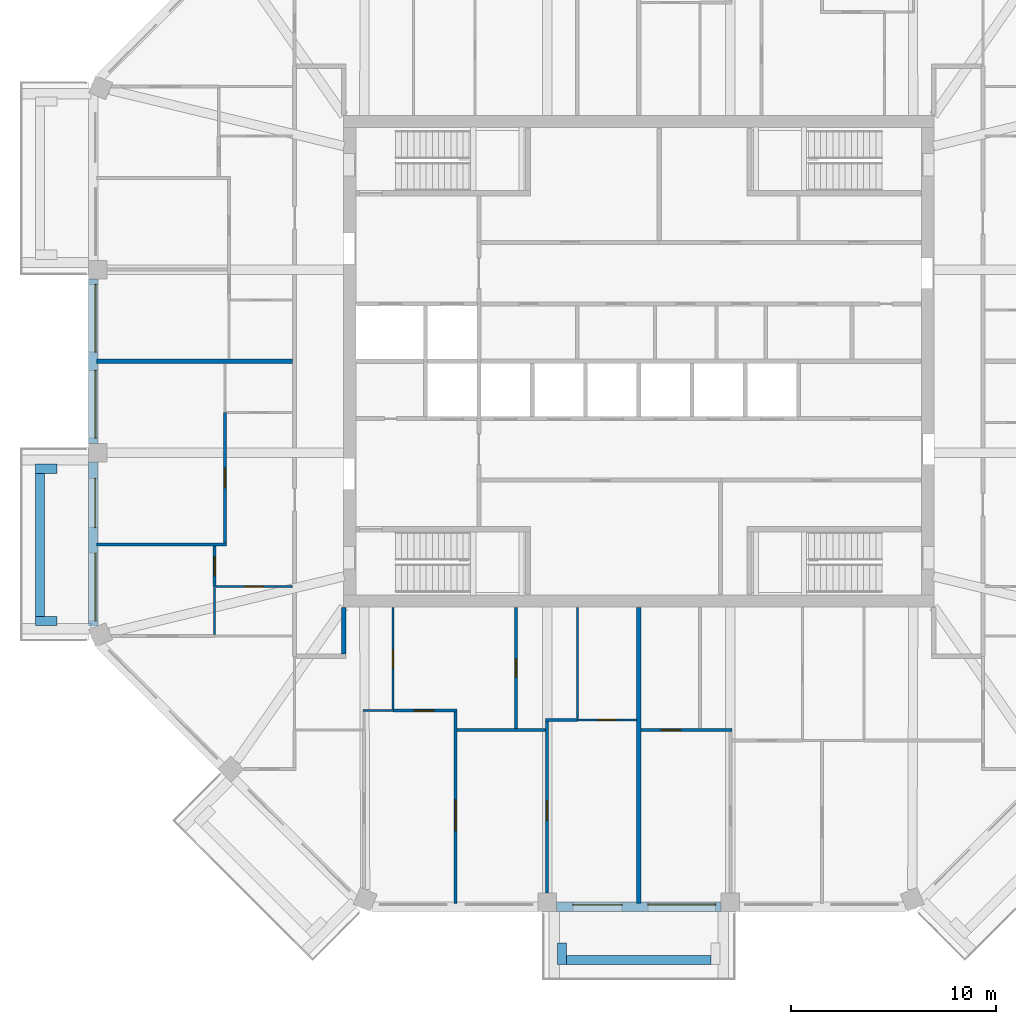
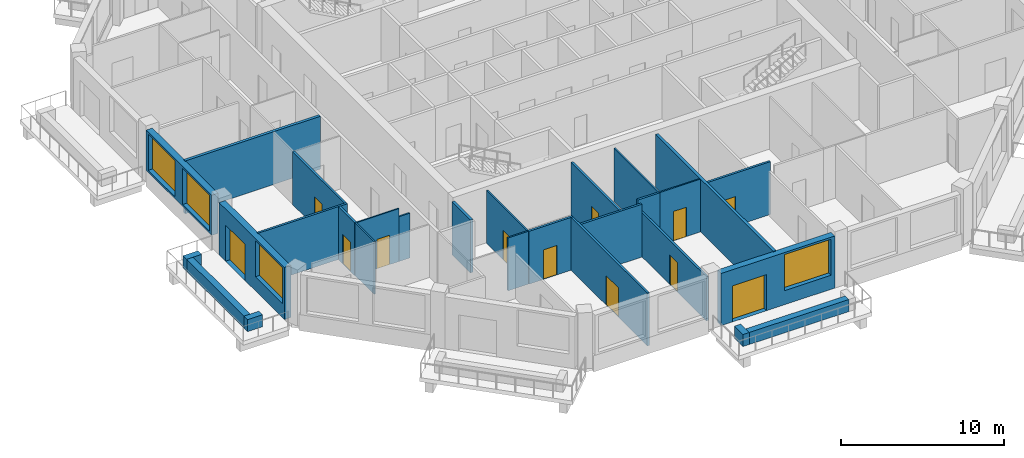
# One storey, part 3 of 12: 28 walls, 12 doors, 4 windows, 16 openings.
"""IFC4 building model written with IfcOpenShell, lengths in metres."""

from ifc_helpers import new_model, si_unit, direction, frame, frame_2d, origin, place, context, subcontext, project, spatial, rectangle, extrude, material, layer, layer_set, type_object, element, fill, save


model = new_model("IFC4")

# Units and contexts
model_context = context("Model", 3, precision=1e-05, world=origin(), true_north=direction((0.0, 1.0)))
body_context = subcontext(model_context, "Body", "Model", "MODEL_VIEW")
ifc_project = project(units=[si_unit("LENGTHUNIT", "METRE"), si_unit("AREAUNIT", "SQUARE_METRE"), si_unit("VOLUMEUNIT", "CUBIC_METRE"), si_unit("PLANEANGLEUNIT", "RADIAN"), si_unit("MASSUNIT", "GRAM", prefix="KILO")], contexts=[model_context])

# Site, building, storey
site_placement = place(None, origin())
site = spatial("IfcSite", under=ifc_project, at=site_placement, CompositionType="ELEMENT")
building_placement = place(site_placement, origin())
building = spatial("IfcBuilding", under=site, at=building_placement, Name="Msitu Wima Residences", CompositionType="ELEMENT")
storey_placement = place(building_placement, frame((0.0, 0.0, 272.699951171875)))
storey = spatial("IfcBuildingStorey", under=building, at=storey_placement, Name="L63", CompositionType="ELEMENT", Elevation=272.699951171875)

# Walls
ifc_material_1 = material(Name="Facing brick")
ifc_layer_1 = layer(ifc_material_1, 0.06494140625, Name="Facing brick")
ifc_material_2 = material(Name="Concrete C40/50", Category="concrete")
ifc_layer_2 = layer(ifc_material_2, 0.156005859375, Name="Concrete C40/50")
ifc_material_3 = material(Name="Waterproofing membrane")
ifc_layer_3 = layer(ifc_material_3, 0.00390625, Name="Waterproofing membrane")
ifc_material_4 = material(Name="Planting soil and planting")
ifc_layer_4 = layer(ifc_material_4, 0.22509765625, Name="Planting soil and planting")
ifc_layer_set_1 = layer_set([ifc_layer_1, ifc_layer_2, ifc_layer_3, ifc_layer_4], Name="Concrete C40/50")
wall_type_1 = type_object("IfcWallType", Name="Balcony planter PLANTER PL450", PredefinedType="USERDEFINED", material=ifc_layer_set_1)
wall_1_placement = place(storey_placement, frame((-29.22509765625, -5.468505859375, 0.0), z_axis=(0.0, 0.0, 1.0), x_axis=(0.0, -1.0, 0.0)))
element("IfcWall", 1, at=wall_1_placement, inside=storey, type_object=wall_type_1, Name="Balcony planter W2 L63", ObjectType="PLANTER", PredefinedType="USERDEFINED", context=body_context, shape_type="SweptSolid", body=[
    extrude(rectangle(XDim=6.9873046875, YDim=0.449951171875, at=frame_2d((3.49365234375, 0.0))), origin(), (0.0, 0.0, 1.0), 0.900146484375),
])
for number, where, z_axis, x_axis, name in (
    (2, (-28.39990234375, -5.24365234375, 0.0), (0.0, 0.0, 1.0), (-1.0, 0.0, 0.0), "Balcony planter W2 L63"),
    (3, (-28.39990234375, -12.680908203125, 0.0), (0.0, 0.0, 1.0), (-1.0, 0.0, 0.0), "Balcony planter W2 L63"),
):
    element("IfcWall", number, at=place(storey_placement, frame(where, z_axis=z_axis, x_axis=x_axis)), inside=storey, type_object=wall_type_1, Name=name, ObjectType="PLANTER", PredefinedType="USERDEFINED", context=body_context, shape_type="SweptSolid", body=[
        extrude(rectangle(XDim=1.050048828125, YDim=0.449951171875, at=frame_2d((0.52490234375, 0.0))), origin(), (0.0, 0.0, 1.0), 0.900146484375),
    ])
wall_2_placement = place(storey_placement, frame((-3.5185546875, -29.22509765625, 0.0), z_axis=(0.0, 0.0, 1.0), x_axis=(1.0, 0.0, 0.0)))
element("IfcWall", 4, at=wall_2_placement, inside=storey, type_object=wall_type_1, Name="Balcony planter S1 L63", ObjectType="PLANTER", PredefinedType="USERDEFINED", context=body_context, shape_type="SweptSolid", body=[
    extrude(rectangle(XDim=7.037109375, YDim=0.449951171875, at=frame_2d((3.5185546875, 0.0))), origin(), (0.0, 0.0, 1.0), 0.900146484375),
])
wall_3_placement = place(storey_placement, frame((-3.74365234375, -28.39990234375, 0.0), z_axis=(0.0, 0.0, 1.0), x_axis=(0.0, -1.0, 0.0)))
element("IfcWall", 5, at=wall_3_placement, inside=storey, type_object=wall_type_1, Name="Balcony planter S1 L63", ObjectType="PLANTER", PredefinedType="USERDEFINED", context=body_context, shape_type="SweptSolid", body=[
    extrude(rectangle(XDim=1.050048828125, YDim=0.449951171875, at=frame_2d((0.52490234375, 0.0))), origin(), (0.0, 0.0, 1.0), 0.900146484375),
])

# Wall, openings, windows
ifc_material_5 = material(Name="Brick (red buff mix)", Category="masonry")
ifc_layer_5 = layer(ifc_material_5, 0.449951171875)
ifc_layer_set_2 = layer_set([ifc_layer_5], Name="Brick (red buff mix)")
wall_type_2 = type_object("IfcWallType", Name="Brick infill wall BW450", PredefinedType="SOLIDWALL", material=ifc_layer_set_2)
wall_4_placement = place(storey_placement, frame((-26.625, 4.0185546875, 0.900146484375), z_axis=(0.0, 0.0, 1.0), x_axis=(0.0, -1.0, 0.0)))
wall_4 = element("IfcWall", 6, at=wall_4_placement, inside=storey, type_object=wall_type_2, Name="Brick infill wall L63 W1", PredefinedType="SOLIDWALL", context=body_context, shape_type="SweptSolid", body=[
    extrude(rectangle(XDim=8.037109375, YDim=0.449951171875, at=frame_2d((4.0185546875, 0.0))), origin(), (0.0, 0.0, 1.0), 3.0),
])
opening_1_placement = place(wall_4_placement, frame((0.2685546875, 0.0, 0.14990234375)))
opening_1 = element("IfcOpeningElement", 7, at=opening_1_placement, cuts=wall_4, Name="Opening W63-64.028", PredefinedType="OPENING", context=body_context, shape_type="SweptSolid", body=[
    extrude(rectangle(XDim=3.300048828125, YDim=2.699951171875, at=frame_2d((1.64990234375, 1.35009765625))), frame((0.0, 0.23486328125, 0.0), z_axis=(0.0, -1.0, 0.0), x_axis=(1.0, 0.0, 0.0)), (0.0, 0.0, 1.0), 0.469970703125),
])
opening_2_placement = place(wall_4_placement, frame((4.46875, 0.0, 0.14990234375)))
opening_2 = element("IfcOpeningElement", 8, at=opening_2_placement, cuts=wall_4, Name="Opening W63-64.029", PredefinedType="OPENING", context=body_context, shape_type="SweptSolid", body=[
    extrude(rectangle(XDim=3.300048828125, YDim=2.699951171875, at=frame_2d((1.64990234375, 1.35009765625))), frame((0.0, 0.23486328125, 0.0), z_axis=(0.0, -1.0, 0.0), x_axis=(1.0, 0.0, 0.0)), (0.0, 0.0, 1.0), 0.469970703125),
])
ifc_material_6 = material(Name="Anodised aluminium, bronze finish, clear low-emissivity double glazing", Category="aluminium")
window_type = type_object("IfcWindowType", Name="Window W3300x2700", PartitioningType="DOUBLE_PANEL_VERTICAL", PredefinedType="WINDOW", material=ifc_material_6)
window_1_placement = place(opening_1_placement, origin())
window_1 = element("IfcWindow", 9, at=window_1_placement, inside=storey, type_object=window_type, Name="Window L63 W1.1", OverallHeight=2.699951171875, OverallWidth=3.300048828125, PartitioningType="SINGLE_PANEL", PredefinedType="WINDOW", context=body_context, shape_type="SweptSolid", body=[
    extrude(rectangle(XDim=3.300048828125, YDim=2.699951171875, at=frame_2d((1.64990234375, 1.35009765625))), frame((0.0, 0.135009765625, 0.0), z_axis=(0.0, -1.0, 0.0), x_axis=(1.0, 0.0, 0.0)), (0.0, 0.0, 1.0), 0.06005859375),
])
fill(opening_1, window_1)
window_2_placement = place(opening_2_placement, origin())
window_2 = element("IfcWindow", 10, at=window_2_placement, inside=storey, type_object=window_type, Name="Window L63 W1.2", OverallHeight=2.699951171875, OverallWidth=3.300048828125, PartitioningType="SINGLE_PANEL", PredefinedType="WINDOW", context=body_context, shape_type="SweptSolid", body=[
    extrude(rectangle(XDim=3.300048828125, YDim=2.699951171875, at=frame_2d((1.64990234375, 1.35009765625))), frame((0.0, 0.135009765625, 0.0), z_axis=(0.0, -1.0, 0.0), x_axis=(1.0, 0.0, 0.0)), (0.0, 0.0, 1.0), 0.06005859375),
])
fill(opening_2, window_2)

# Wall, openings, door, window
wall_5_placement = place(storey_placement, frame((-26.625, -4.918701171875, 0.0), z_axis=(0.0, 0.0, 1.0), x_axis=(0.0, -1.0, 0.0)))
wall_5 = element("IfcWall", 11, at=wall_5_placement, inside=storey, type_object=wall_type_2, Name="Brick infill wall L63 W2", PredefinedType="SOLIDWALL", context=body_context, shape_type="SweptSolid", body=[
    extrude(rectangle(XDim=8.0, YDim=0.449951171875, at=frame_2d((4.0, 0.0))), origin(), (0.0, 0.0, 1.0), 3.900146484375),
])
opening_3_placement = place(wall_5_placement, frame((0.800048828125, 0.0, 0.0)))
opening_3 = element("IfcOpeningElement", 12, at=opening_3_placement, cuts=wall_5, Name="Opening D63-64.010", PredefinedType="OPENING", context=body_context, shape_type="SweptSolid", body=[
    extrude(rectangle(XDim=2.39990234375, YDim=2.699951171875, at=frame_2d((1.199951171875, 1.35009765625))), frame((0.0, 0.23486328125, 0.0), z_axis=(0.0, -1.0, 0.0), x_axis=(1.0, 0.0, 0.0)), (0.0, 0.0, 1.0), 0.469970703125),
])
opening_4_placement = place(wall_5_placement, frame((4.4501953125, 0.0, 1.050048828125)))
opening_4 = element("IfcOpeningElement", 13, at=opening_4_placement, cuts=wall_5, Name="Opening W63-64.030", PredefinedType="OPENING", context=body_context, shape_type="SweptSolid", body=[
    extrude(rectangle(XDim=3.300048828125, YDim=2.699951171875, at=frame_2d((1.64990234375, 1.35009765625))), frame((0.0, 0.23486328125, 0.0), z_axis=(0.0, -1.0, 0.0), x_axis=(1.0, 0.0, 0.0)), (0.0, 0.0, 1.0), 0.469970703125),
])
door_type_1 = type_object("IfcDoorType", Name="Balcony door D2400x2700", OperationType="SLIDING_TO_LEFT", PredefinedType="DOOR", material=ifc_material_6)
door_1_placement = place(opening_3_placement, origin())
door_1 = element("IfcDoor", 14, at=door_1_placement, inside=storey, type_object=door_type_1, Name="Balcony door L63 W2", OperationType="SINGLE_SWING_LEFT", OverallHeight=2.699951171875, OverallWidth=2.39990234375, PredefinedType="DOOR", context=body_context, shape_type="SweptSolid", body=[
    extrude(rectangle(XDim=2.39990234375, YDim=2.699951171875, at=frame_2d((1.199951171875, 1.35009765625))), frame((0.0, 0.1298828125, 0.0), z_axis=(0.0, -1.0, 0.0), x_axis=(1.0, 0.0, 0.0)), (0.0, 0.0, 1.0), 0.050048828125),
])
fill(opening_3, door_1)
window_3_placement = place(opening_4_placement, origin())
window_3 = element("IfcWindow", 15, at=window_3_placement, inside=storey, type_object=window_type, Name="Window L63 W2.2", OverallHeight=2.699951171875, OverallWidth=3.300048828125, PartitioningType="SINGLE_PANEL", PredefinedType="WINDOW", context=body_context, shape_type="SweptSolid", body=[
    extrude(rectangle(XDim=3.300048828125, YDim=2.699951171875, at=frame_2d((1.64990234375, 1.35009765625))), frame((0.0, 0.135009765625, 0.0), z_axis=(0.0, -1.0, 0.0), x_axis=(1.0, 0.0, 0.0)), (0.0, 0.0, 1.0), 0.06005859375),
])
fill(opening_4, window_3)

wall_6_placement = place(storey_placement, frame((-4.0185546875, -26.625, 0.0), z_axis=(0.0, 0.0, 1.0), x_axis=(1.0, 0.0, 0.0)))
wall_6 = element("IfcWall", 16, at=wall_6_placement, inside=storey, type_object=wall_type_2, Name="Brick infill wall L63 S1", PredefinedType="SOLIDWALL", context=body_context, shape_type="SweptSolid", body=[
    extrude(rectangle(XDim=8.037109375, YDim=0.449951171875, at=frame_2d((4.0185546875, 0.0))), origin(), (0.0, 0.0, 1.0), 3.900146484375),
])
opening_5_placement = place(wall_6_placement, frame((0.809326171875, 0.0, 0.0)))
opening_5 = element("IfcOpeningElement", 17, at=opening_5_placement, cuts=wall_6, Name="Opening D63-64.006", PredefinedType="OPENING", context=body_context, shape_type="SweptSolid", body=[
    extrude(rectangle(XDim=2.39990234375, YDim=2.699951171875, at=frame_2d((1.199951171875, 1.35009765625))), frame((0.0, 0.23486328125, 0.0), z_axis=(0.0, -1.0, 0.0), x_axis=(1.0, 0.0, 0.0)), (0.0, 0.0, 1.0), 0.469970703125),
])
opening_6_placement = place(wall_6_placement, frame((4.46875, 0.0, 1.050048828125)))
opening_6 = element("IfcOpeningElement", 18, at=opening_6_placement, cuts=wall_6, Name="Opening W63-64.018", PredefinedType="OPENING", context=body_context, shape_type="SweptSolid", body=[
    extrude(rectangle(XDim=3.300048828125, YDim=2.699951171875, at=frame_2d((1.64990234375, 1.35009765625))), frame((0.0, 0.23486328125, 0.0), z_axis=(0.0, -1.0, 0.0), x_axis=(1.0, 0.0, 0.0)), (0.0, 0.0, 1.0), 0.469970703125),
])
door_2_placement = place(opening_5_placement, origin())
door_2 = element("IfcDoor", 19, at=door_2_placement, inside=storey, type_object=door_type_1, Name="Balcony door L63 S1", OperationType="SINGLE_SWING_LEFT", OverallHeight=2.699951171875, OverallWidth=2.39990234375, PredefinedType="DOOR", context=body_context, shape_type="SweptSolid", body=[
    extrude(rectangle(XDim=2.39990234375, YDim=2.699951171875, at=frame_2d((1.199951171875, 1.35009765625))), frame((0.0, 0.1298828125, 0.0), z_axis=(0.0, -1.0, 0.0), x_axis=(1.0, 0.0, 0.0)), (0.0, 0.0, 1.0), 0.050048828125),
])
fill(opening_5, door_2)
window_4_placement = place(opening_6_placement, origin())
window_4 = element("IfcWindow", 20, at=window_4_placement, inside=storey, type_object=window_type, Name="Window L63 S1.2", OverallHeight=2.699951171875, OverallWidth=3.300048828125, PartitioningType="SINGLE_PANEL", PredefinedType="WINDOW", context=body_context, shape_type="SweptSolid", body=[
    extrude(rectangle(XDim=3.300048828125, YDim=2.699951171875, at=frame_2d((1.64990234375, 1.35009765625))), frame((0.0, 0.135009765625, 0.0), z_axis=(0.0, -1.0, 0.0), x_axis=(1.0, 0.0, 0.0)), (0.0, 0.0, 1.0), 0.06005859375),
])
fill(opening_6, window_4)

# Walls
ifc_material_7 = material(Name="Plaster")
ifc_layer_6 = layer(ifc_material_7, 0.011962890625, Name="Plaster")
ifc_material_8 = material(Name="Concrete blockwork", Category="masonry")
ifc_layer_7 = layer(ifc_material_8, 0.176025390625, Name="Concrete blockwork")
ifc_layer_8 = layer(ifc_material_7, 0.011962890625, Name="Plaster")
ifc_layer_set_3 = layer_set([ifc_layer_6, ifc_layer_7, ifc_layer_8], Name="Concrete blockwork")
wall_type_3 = type_object("IfcWallType", Name="Corridor wall FW200", PredefinedType="PARTITIONING", material=ifc_layer_set_3)
wall_7_placement = place(storey_placement, frame((-14.39990234375, -14.300048828125, 0.0), z_axis=(0.0, 0.0, 1.0), x_axis=(0.0, 1.0, 0.0)))
element("IfcWall", 21, at=wall_7_placement, inside=storey, type_object=wall_type_3, Name="Corridor wall", PredefinedType="PARTITIONING", context=body_context, shape_type="SweptSolid", body=[
    extrude(rectangle(XDim=2.27001953125, YDim=0.199951171875, at=frame_2d((1.135009765625, 0.0))), origin(), (0.0, 0.0, 1.0), 3.949951171875),
])
ifc_layer_9 = layer(ifc_material_7, 0.011962890625, Name="Plaster")
ifc_layer_10 = layer(ifc_material_8, 0.1259765625, Name="Concrete blockwork")
ifc_layer_11 = layer(ifc_material_7, 0.011962890625, Name="Plaster")
ifc_layer_set_4 = layer_set([ifc_layer_9, ifc_layer_10, ifc_layer_11], Name="Concrete blockwork")
wall_type_4 = type_object("IfcWallType", Name="Partition PW150", PredefinedType="PARTITIONING", material=ifc_layer_set_4)
wall_8_placement = place(storey_placement, frame((-26.455078125, -8.937255859375, 0.0), z_axis=(0.0, 0.0, 1.0), x_axis=(1.0, 0.0, 0.0)))
element("IfcWall", 22, at=wall_8_placement, inside=storey, type_object=wall_type_4, Name="Partition", PredefinedType="PARTITIONING", context=body_context, shape_type="SweptSolid", body=[
    extrude(rectangle(XDim=6.330078125, YDim=0.14990234375, at=frame_2d((3.1650390625, 0.0))), origin(), (0.0, 0.0, 1.0), 3.949951171875),
])

# Wall, opening, door
wall_9_placement = place(storey_placement, frame((-20.699951171875, -10.97998046875, 0.0), z_axis=(0.0, 0.0, 1.0), x_axis=(0.0, 1.0, 0.0)))
wall_9 = element("IfcWall", 23, at=wall_9_placement, inside=storey, type_object=wall_type_4, Name="Partition", PredefinedType="PARTITIONING", context=body_context, shape_type="SweptSolid", body=[
    extrude(rectangle(XDim=1.9677734375, YDim=0.14990234375, at=frame_2d((0.98388671875, 0.0))), origin(), (0.0, 0.0, 1.0), 3.949951171875),
])
opening_7_placement = place(wall_9_placement, frame((0.5, 0.0, 0.0)))
opening_7 = element("IfcOpeningElement", 24, at=opening_7_placement, cuts=wall_9, Name="Opening D63-64.047", PredefinedType="OPENING", context=body_context, shape_type="SweptSolid", body=[
    extrude(rectangle(XDim=0.949951171875, YDim=2.199951171875, at=frame_2d((0.47509765625, 1.10009765625))), frame((0.0, 0.0849609375, 0.0), z_axis=(0.0, -1.0, 0.0), x_axis=(1.0, 0.0, 0.0)), (0.0, 0.0, 1.0), 0.169921875),
])
ifc_material_9 = material(Name="Timber flush door", Category="wood")
door_type_2 = type_object("IfcDoorType", Name="Room door D12 950x2200", OperationType="SINGLE_SWING_LEFT", PredefinedType="DOOR", material=ifc_material_9)
door_3_placement = place(opening_7_placement, origin())
door_3 = element("IfcDoor", 25, at=door_3_placement, inside=storey, type_object=door_type_2, Name="Room door", OperationType="SINGLE_SWING_RIGHT", OverallHeight=2.199951171875, OverallWidth=0.949951171875, PredefinedType="DOOR", context=body_context, shape_type="SweptSolid", body=[
    extrude(rectangle(XDim=0.949951171875, YDim=2.199951171875, at=frame_2d((0.47509765625, 1.10009765625))), frame((0.0, 0.02490234375, 0.0), z_axis=(0.0, -1.0, 0.0), x_axis=(1.0, 0.0, 0.0)), (0.0, 0.0, 1.0), 0.050048828125),
])
fill(opening_7, door_3)

wall_10_placement = place(storey_placement, frame((-20.199951171875, -8.8623046875, 0.0), z_axis=(0.0, 0.0, 1.0), x_axis=(0.0, 1.0, 0.0)))
wall_10 = element("IfcWall", 26, at=wall_10_placement, inside=storey, type_object=wall_type_4, Name="Partition", PredefinedType="PARTITIONING", context=body_context, shape_type="SweptSolid", body=[
    extrude(rectangle(XDim=6.3623046875, YDim=0.14990234375, at=frame_2d((3.18115234375, 0.0))), origin(), (0.0, 0.0, 1.0), 3.949951171875),
])
opening_8_placement = place(wall_10_placement, frame((2.699951171875, 0.0, 0.0)))
opening_8 = element("IfcOpeningElement", 27, at=opening_8_placement, cuts=wall_10, Name="Opening D63-64.046", PredefinedType="OPENING", context=body_context, shape_type="SweptSolid", body=[
    extrude(rectangle(XDim=0.949951171875, YDim=2.199951171875, at=frame_2d((0.47509765625, 1.10009765625))), frame((0.0, 0.0849609375, 0.0), z_axis=(0.0, -1.0, 0.0), x_axis=(1.0, 0.0, 0.0)), (0.0, 0.0, 1.0), 0.169921875),
])
door_4_placement = place(opening_8_placement, origin())
door_4 = element("IfcDoor", 28, at=door_4_placement, inside=storey, type_object=door_type_2, Name="Room door", OperationType="SINGLE_SWING_LEFT", OverallHeight=2.199951171875, OverallWidth=0.949951171875, PredefinedType="DOOR", context=body_context, shape_type="SweptSolid", body=[
    extrude(rectangle(XDim=0.949951171875, YDim=2.199951171875, at=frame_2d((0.47509765625, 1.10009765625))), frame((0.0, 0.02490234375, 0.0), z_axis=(0.0, -1.0, 0.0), x_axis=(1.0, 0.0, 0.0)), (0.0, 0.0, 1.0), 0.050048828125),
])
fill(opening_8, door_4)

wall_11_placement = place(storey_placement, frame((-12.0, -17.050048828125, 0.0), z_axis=(0.0, 0.0, 1.0), x_axis=(1.0, 0.0, 0.0)))
wall_11 = element("IfcWall", 29, at=wall_11_placement, inside=storey, type_object=wall_type_4, Name="Partition", PredefinedType="PARTITIONING", context=body_context, shape_type="SweptSolid", body=[
    extrude(rectangle(XDim=3.1376953125, YDim=0.14990234375, at=frame_2d((1.56884765625, 0.0))), origin(), (0.0, 0.0, 1.0), 3.949951171875),
])
opening_9_placement = place(wall_11_placement, frame((1.050048828125, 0.0, 0.0)))
opening_9 = element("IfcOpeningElement", 30, at=opening_9_placement, cuts=wall_11, Name="Opening D63-64.051", PredefinedType="OPENING", context=body_context, shape_type="SweptSolid", body=[
    extrude(rectangle(XDim=0.949951171875, YDim=2.199951171875, at=frame_2d((0.47509765625, 1.10009765625))), frame((0.0, 0.0849609375, 0.0), z_axis=(0.0, -1.0, 0.0), x_axis=(1.0, 0.0, 0.0)), (0.0, 0.0, 1.0), 0.169921875),
])
door_5_placement = place(opening_9_placement, origin())
door_5 = element("IfcDoor", 31, at=door_5_placement, inside=storey, type_object=door_type_2, Name="Room door", OperationType="SINGLE_SWING_LEFT", OverallHeight=2.199951171875, OverallWidth=0.949951171875, PredefinedType="DOOR", context=body_context, shape_type="SweptSolid", body=[
    extrude(rectangle(XDim=0.949951171875, YDim=2.199951171875, at=frame_2d((0.47509765625, 1.10009765625))), frame((0.0, 0.02490234375, 0.0), z_axis=(0.0, -1.0, 0.0), x_axis=(1.0, 0.0, 0.0)), (0.0, 0.0, 1.0), 0.050048828125),
])
fill(opening_9, door_5)

wall_12_placement = place(storey_placement, frame((-8.937255859375, -26.455078125, 0.0), z_axis=(0.0, 0.0, 1.0), x_axis=(0.0, 1.0, 0.0)))
wall_12 = element("IfcWall", 32, at=wall_12_placement, inside=storey, type_object=wall_type_4, Name="Partition", PredefinedType="PARTITIONING", context=body_context, shape_type="SweptSolid", body=[
    extrude(rectangle(XDim=9.330078125, YDim=0.14990234375, at=frame_2d((4.6650390625, 0.0))), origin(), (0.0, 0.0, 1.0), 3.949951171875),
])
opening_10_placement = place(wall_12_placement, frame((3.550048828125, 0.0, 0.0)))
opening_10 = element("IfcOpeningElement", 33, at=opening_10_placement, cuts=wall_12, Name="Opening D63-64.041", PredefinedType="OPENING", context=body_context, shape_type="SweptSolid", body=[
    extrude(rectangle(XDim=1.5, YDim=2.199951171875, at=frame_2d((0.75, 1.10009765625))), frame((0.0, 0.0849609375, 0.0), z_axis=(0.0, -1.0, 0.0), x_axis=(1.0, 0.0, 0.0)), (0.0, 0.0, 1.0), 0.169921875),
])
ifc_material_10 = material(Name="Timber double door", Category="wood")
door_type_3 = type_object("IfcDoorType", Name="Double door D04 1500x2200", OperationType="DOUBLE_DOOR_SINGLE_SWING", PredefinedType="DOOR", material=ifc_material_10)
door_6_placement = place(opening_10_placement, origin())
door_6 = element("IfcDoor", 34, at=door_6_placement, inside=storey, type_object=door_type_3, Name="Double door", OperationType="DOUBLE_DOOR_SINGLE_SWING", OverallHeight=2.199951171875, OverallWidth=1.5, PredefinedType="DOOR", context=body_context, shape_type="SweptSolid", body=[
    extrude(rectangle(XDim=1.5, YDim=2.199951171875, at=frame_2d((0.75, 1.10009765625))), frame((0.0, 0.02490234375, 0.0), z_axis=(0.0, -1.0, 0.0), x_axis=(1.0, 0.0, 0.0)), (0.0, 0.0, 1.0), 0.050048828125),
])
fill(opening_10, door_6)

# Wall
wall_13_placement = place(storey_placement, frame((-8.8623046875, -18.0, 0.0), z_axis=(0.0, 0.0, 1.0), x_axis=(1.0, 0.0, 0.0)))
element("IfcWall", 35, at=wall_13_placement, inside=storey, type_object=wall_type_4, Name="Partition", PredefinedType="PARTITIONING", context=body_context, shape_type="SweptSolid", body=[
    extrude(rectangle(XDim=4.318603515625, YDim=0.14990234375, at=frame_2d((2.1591796875, 0.0))), origin(), (0.0, 0.0, 1.0), 3.949951171875),
])

# Wall, opening, door
wall_14_placement = place(storey_placement, frame((-6.0, -17.925048828125, 0.0), z_axis=(0.0, 0.0, 1.0), x_axis=(0.0, 1.0, 0.0)))
wall_14 = element("IfcWall", 36, at=wall_14_placement, inside=storey, type_object=wall_type_4, Name="Partition", PredefinedType="PARTITIONING", context=body_context, shape_type="SweptSolid", body=[
    extrude(rectangle(XDim=5.89501953125, YDim=0.14990234375, at=frame_2d((2.947509765625, 0.0))), origin(), (0.0, 0.0, 1.0), 3.949951171875),
])
opening_11_placement = place(wall_14_placement, frame((2.5, 0.0, 0.0)))
opening_11 = element("IfcOpeningElement", 37, at=opening_11_placement, cuts=wall_14, Name="Opening D63-64.042", PredefinedType="OPENING", context=body_context, shape_type="SweptSolid", body=[
    extrude(rectangle(XDim=0.89990234375, YDim=2.199951171875, at=frame_2d((0.449951171875, 1.10009765625))), frame((0.0, 0.0849609375, 0.0), z_axis=(0.0, -1.0, 0.0), x_axis=(1.0, 0.0, 0.0)), (0.0, 0.0, 1.0), 0.169921875),
])
door_type_4 = type_object("IfcDoorType", Name="Service door D05 900x2200", OperationType="SINGLE_SWING_LEFT", PredefinedType="DOOR", material=ifc_material_9)
door_7_placement = place(opening_11_placement, origin())
door_7 = element("IfcDoor", 38, at=door_7_placement, inside=storey, type_object=door_type_4, Name="Service door", OperationType="SINGLE_SWING_RIGHT", OverallHeight=2.199951171875, OverallWidth=0.89990234375, PredefinedType="DOOR", context=body_context, shape_type="SweptSolid", body=[
    extrude(rectangle(XDim=0.89990234375, YDim=2.199951171875, at=frame_2d((0.449951171875, 1.10009765625))), frame((0.0, 0.02490234375, 0.0), z_axis=(0.0, -1.0, 0.0), x_axis=(1.0, 0.0, 0.0)), (0.0, 0.0, 1.0), 0.050048828125),
])
fill(opening_11, door_7)

wall_15_placement = place(storey_placement, frame((-4.46875, -25.949951171875, 0.0), z_axis=(0.0, 0.0, 1.0), x_axis=(0.0, 1.0, 0.0)))
wall_15 = element("IfcWall", 39, at=wall_15_placement, inside=storey, type_object=wall_type_4, Name="Partition", PredefinedType="PARTITIONING", context=body_context, shape_type="SweptSolid", body=[
    extrude(rectangle(XDim=8.375, YDim=0.14990234375, at=frame_2d((4.1875, 0.0))), origin(), (0.0, 0.0, 1.0), 3.300048828125),
])
opening_12_placement = place(wall_15_placement, frame((3.550048828125, 0.0, 0.0)))
opening_12 = element("IfcOpeningElement", 40, at=opening_12_placement, cuts=wall_15, Name="Opening D63-64.043", PredefinedType="OPENING", context=body_context, shape_type="SweptSolid", body=[
    extrude(rectangle(XDim=0.949951171875, YDim=2.199951171875, at=frame_2d((0.47509765625, 1.10009765625))), frame((0.0, 0.0849609375, 0.0), z_axis=(0.0, -1.0, 0.0), x_axis=(1.0, 0.0, 0.0)), (0.0, 0.0, 1.0), 0.169921875),
])
door_8_placement = place(opening_12_placement, origin())
door_8 = element("IfcDoor", 41, at=door_8_placement, inside=storey, type_object=door_type_2, Name="Room door", OperationType="SINGLE_SWING_RIGHT", OverallHeight=2.199951171875, OverallWidth=0.949951171875, PredefinedType="DOOR", context=body_context, shape_type="SweptSolid", body=[
    extrude(rectangle(XDim=0.949951171875, YDim=2.199951171875, at=frame_2d((0.47509765625, 1.10009765625))), frame((0.0, 0.02490234375, 0.0), z_axis=(0.0, -1.0, 0.0), x_axis=(1.0, 0.0, 0.0)), (0.0, 0.0, 1.0), 0.050048828125),
])
fill(opening_12, door_8)

# Wall
wall_16_placement = place(storey_placement, frame((-4.543701171875, -17.5, 0.0), z_axis=(0.0, 0.0, 1.0), x_axis=(1.0, 0.0, 0.0)))
element("IfcWall", 42, at=wall_16_placement, inside=storey, type_object=wall_type_4, Name="Partition", PredefinedType="PARTITIONING", context=body_context, shape_type="SweptSolid", body=[
    extrude(rectangle(XDim=1.543701171875, YDim=0.14990234375, at=frame_2d((0.77197265625, 0.0))), origin(), (0.0, 0.0, 1.0), 3.949951171875),
])

# Wall, opening, door
wall_17_placement = place(storey_placement, frame((0.10009765625, -18.0, 0.0), z_axis=(0.0, 0.0, 1.0), x_axis=(1.0, 0.0, 0.0)))
wall_17 = element("IfcWall", 43, at=wall_17_placement, inside=storey, type_object=wall_type_4, Name="Partition", PredefinedType="PARTITIONING", context=body_context, shape_type="SweptSolid", body=[
    extrude(rectangle(XDim=4.443603515625, YDim=0.14990234375, at=frame_2d((2.2216796875, 0.0))), origin(), (0.0, 0.0, 1.0), 3.949951171875),
])
opening_13_placement = place(wall_17_placement, frame((1.0, 0.0, 0.0)))
opening_13 = element("IfcOpeningElement", 44, at=opening_13_placement, cuts=wall_17, Name="Opening D63-64.058", PredefinedType="OPENING", context=body_context, shape_type="SweptSolid", body=[
    extrude(rectangle(XDim=0.949951171875, YDim=2.199951171875, at=frame_2d((0.47509765625, 1.10009765625))), frame((0.0, 0.0849609375, 0.0), z_axis=(0.0, -1.0, 0.0), x_axis=(1.0, 0.0, 0.0)), (0.0, 0.0, 1.0), 0.169921875),
])
door_9_placement = place(opening_13_placement, origin())
door_9 = element("IfcDoor", 45, at=door_9_placement, inside=storey, type_object=door_type_2, Name="Room door", OperationType="SINGLE_SWING_RIGHT", OverallHeight=2.199951171875, OverallWidth=0.949951171875, PredefinedType="DOOR", context=body_context, shape_type="SweptSolid", body=[
    extrude(rectangle(XDim=0.949951171875, YDim=2.199951171875, at=frame_2d((0.47509765625, 1.10009765625))), frame((0.0, 0.02490234375, 0.0), z_axis=(0.0, -1.0, 0.0), x_axis=(1.0, 0.0, 0.0)), (0.0, 0.0, 1.0), 0.050048828125),
])
fill(opening_13, door_9)

# Walls
ifc_layer_12 = layer(ifc_material_7, 0.011962890625, Name="Plaster")
ifc_material_11 = material(Name="Dense concrete blockwork", Category="masonry")
ifc_layer_13 = layer(ifc_material_11, 0.176025390625, Name="Dense concrete blockwork")
ifc_layer_14 = layer(ifc_material_7, 0.011962890625, Name="Plaster")
ifc_layer_set_5 = layer_set([ifc_layer_12, ifc_layer_13, ifc_layer_14], Name="Dense concrete blockwork")
wall_type_5 = type_object("IfcWallType", Name="Party wall PW200", PredefinedType="PARTITIONING", material=ifc_layer_set_5)
wall_18_placement = place(storey_placement, frame((-26.455078125, 0.0, 0.0), z_axis=(0.0, 0.0, 1.0), x_axis=(1.0, 0.0, 0.0)))
element("IfcWall", 46, at=wall_18_placement, inside=storey, type_object=wall_type_5, Name="Party wall", PredefinedType="PARTITIONING", context=body_context, shape_type="SweptSolid", body=[
    extrude(rectangle(XDim=9.55517578125, YDim=0.199951171875, at=frame_2d((4.777587890625, 0.0))), origin(), (0.0, 0.0, 1.0), 3.949951171875),
])
wall_19_placement = place(storey_placement, frame((0.0, -26.455078125, 0.0), z_axis=(0.0, 0.0, 1.0), x_axis=(0.0, 1.0, 0.0)))
element("IfcWall", 47, at=wall_19_placement, inside=storey, type_object=wall_type_5, Name="Party wall", PredefinedType="PARTITIONING", context=body_context, shape_type="SweptSolid", body=[
    extrude(rectangle(XDim=14.425048828125, YDim=0.199951171875, at=frame_2d((7.21240234375, 0.0))), origin(), (0.0, 0.0, 1.0), 3.949951171875),
])
ifc_material_12 = material(Name="Ceramic tiles")
ifc_layer_15 = layer(ifc_material_12, 0.008056640625, Name="Ceramic tiles")
ifc_material_13 = material(Name="Moisture-resistant board")
ifc_layer_16 = layer(ifc_material_13, 0.012451171875, Name="Moisture-resistant board")
ifc_material_14 = material(Name="Light-gauge stud framing with mineral wool")
ifc_layer_17 = layer(ifc_material_14, 0.06689453125, Name="Light-gauge stud framing with mineral wool")
ifc_layer_18 = layer(ifc_material_13, 0.012451171875, Name="Moisture-resistant board")
ifc_layer_set_6 = layer_set([ifc_layer_15, ifc_layer_16, ifc_layer_17, ifc_layer_18], Name="Light-gauge stud framing with mineral wool")
wall_type_6 = type_object("IfcWallType", Name="Wet wall PW100", PredefinedType="PARTITIONING", material=ifc_layer_set_6)
wall_20_placement = place(storey_placement, frame((-20.699951171875, -13.330810546875, 0.0), z_axis=(0.0, 0.0, 1.0), x_axis=(0.0, 1.0, 0.0)))
element("IfcWall", 48, at=wall_20_placement, inside=storey, type_object=wall_type_6, Name="Wet wall", PredefinedType="PARTITIONING", context=body_context, shape_type="SweptSolid", body=[
    extrude(rectangle(XDim=2.350830078125, YDim=0.10009765625, at=frame_2d((1.17529296875, 0.0))), origin(), (0.0, 0.0, 1.0), 3.949951171875),
])

# Wall, opening, door
wall_21_placement = place(storey_placement, frame((-20.625, -11.0, 0.0), z_axis=(0.0, 0.0, 1.0), x_axis=(1.0, 0.0, 0.0)))
wall_21 = element("IfcWall", 49, at=wall_21_placement, inside=storey, type_object=wall_type_6, Name="Wet wall", PredefinedType="PARTITIONING", context=body_context, shape_type="SweptSolid", body=[
    extrude(rectangle(XDim=2.97119140625, YDim=0.10009765625, at=frame_2d((1.485595703125, 0.0))), origin(), (0.0, 0.0, 1.0), 3.949951171875),
])
opening_14_placement = place(wall_21_placement, frame((1.39990234375, 0.0, 0.0)))
opening_14 = element("IfcOpeningElement", 50, at=opening_14_placement, cuts=wall_21, Name="Opening D63-64.045", PredefinedType="OPENING", context=body_context, shape_type="SweptSolid", body=[
    extrude(rectangle(XDim=0.89990234375, YDim=2.199951171875, at=frame_2d((0.449951171875, 1.10009765625))), frame((0.0, 0.06005859375, 0.0), z_axis=(0.0, -1.0, 0.0), x_axis=(1.0, 0.0, 0.0)), (0.0, 0.0, 1.0), 0.1201171875),
])
ifc_material_15 = material(Name="Timber flush door, moisture resistant", Category="wood")
door_type_5 = type_object("IfcDoorType", Name="Bathroom door D03 900x2200", OperationType="SINGLE_SWING_LEFT", PredefinedType="DOOR", material=ifc_material_15)
door_10_placement = place(opening_14_placement, origin())
door_10 = element("IfcDoor", 51, at=door_10_placement, inside=storey, type_object=door_type_5, Name="Bathroom door", OperationType="SINGLE_SWING_RIGHT", OverallHeight=2.199951171875, OverallWidth=0.89990234375, PredefinedType="DOOR", context=body_context, shape_type="SweptSolid", body=[
    extrude(rectangle(XDim=0.89990234375, YDim=2.199951171875, at=frame_2d((0.449951171875, 1.10009765625))), frame((0.0, 0.02490234375, 0.0), z_axis=(0.0, -1.0, 0.0), x_axis=(1.0, 0.0, 0.0)), (0.0, 0.0, 1.0), 0.050048828125),
])
fill(opening_14, door_10)

# Walls
wall_22_placement = place(storey_placement, frame((-17.65380859375, -11.0, 0.0), z_axis=(0.0, 0.0, 1.0), x_axis=(1.0, 0.0, 0.0)))
element("IfcWall", 52, at=wall_22_placement, inside=storey, type_object=wall_type_6, Name="Wet wall", PredefinedType="PARTITIONING", context=body_context, shape_type="SweptSolid", body=[
    extrude(rectangle(XDim=0.75390625, YDim=0.10009765625, at=frame_2d((0.376953125, 0.0))), origin(), (0.0, 0.0, 1.0), 3.35009765625),
])
wall_23_placement = place(storey_placement, frame((-13.455810546875, -17.050048828125, 0.0), z_axis=(0.0, 0.0, 1.0), x_axis=(1.0, 0.0, 0.0)))
element("IfcWall", 53, at=wall_23_placement, inside=storey, type_object=wall_type_6, Name="Wet wall", PredefinedType="PARTITIONING", context=body_context, shape_type="SweptSolid", body=[
    extrude(rectangle(XDim=1.455810546875, YDim=0.10009765625, at=frame_2d((0.72802734375, 0.0))), origin(), (0.0, 0.0, 1.0), 3.949951171875),
])

# Wall, opening, door
wall_24_placement = place(storey_placement, frame((-12.0, -16.97509765625, 0.0), z_axis=(0.0, 0.0, 1.0), x_axis=(0.0, 1.0, 0.0)))
wall_24 = element("IfcWall", 54, at=wall_24_placement, inside=storey, type_object=wall_type_6, Name="Wet wall", PredefinedType="PARTITIONING", context=body_context, shape_type="SweptSolid", body=[
    extrude(rectangle(XDim=4.945068359375, YDim=0.10009765625, at=frame_2d((2.47265625, 0.0))), origin(), (0.0, 0.0, 1.0), 3.949951171875),
])
opening_15_placement = place(wall_24_placement, frame((2.0, 0.0, 0.0)))
opening_15 = element("IfcOpeningElement", 55, at=opening_15_placement, cuts=wall_24, Name="Opening D63-64.052", PredefinedType="OPENING", context=body_context, shape_type="SweptSolid", body=[
    extrude(rectangle(XDim=0.89990234375, YDim=2.199951171875, at=frame_2d((0.449951171875, 1.10009765625))), frame((0.0, 0.06005859375, 0.0), z_axis=(0.0, -1.0, 0.0), x_axis=(1.0, 0.0, 0.0)), (0.0, 0.0, 1.0), 0.1201171875),
])
door_11_placement = place(opening_15_placement, origin())
door_11 = element("IfcDoor", 56, at=door_11_placement, inside=storey, type_object=door_type_4, Name="Service door", OperationType="SINGLE_SWING_RIGHT", OverallHeight=2.199951171875, OverallWidth=0.89990234375, PredefinedType="DOOR", context=body_context, shape_type="SweptSolid", body=[
    extrude(rectangle(XDim=0.89990234375, YDim=2.199951171875, at=frame_2d((0.449951171875, 1.10009765625))), frame((0.0, 0.02490234375, 0.0), z_axis=(0.0, -1.0, 0.0), x_axis=(1.0, 0.0, 0.0)), (0.0, 0.0, 1.0), 0.050048828125),
])
fill(opening_15, door_11)

# Wall
wall_25_placement = place(storey_placement, frame((-3.0, -17.425048828125, 0.0), z_axis=(0.0, 0.0, 1.0), x_axis=(0.0, 1.0, 0.0)))
element("IfcWall", 57, at=wall_25_placement, inside=storey, type_object=wall_type_6, Name="Wet wall", PredefinedType="PARTITIONING", context=body_context, shape_type="SweptSolid", body=[
    extrude(rectangle(XDim=5.39501953125, YDim=0.10009765625, at=frame_2d((2.697509765625, 0.0))), origin(), (0.0, 0.0, 1.0), 3.949951171875),
])

# Wall, opening, door
wall_26_placement = place(storey_placement, frame((-3.0, -17.5, 0.0), z_axis=(0.0, 0.0, 1.0), x_axis=(1.0, 0.0, 0.0)))
wall_26 = element("IfcWall", 58, at=wall_26_placement, inside=storey, type_object=wall_type_6, Name="Wet wall", PredefinedType="PARTITIONING", context=body_context, shape_type="SweptSolid", body=[
    extrude(rectangle(XDim=2.89990234375, YDim=0.10009765625, at=frame_2d((1.449951171875, 0.0))), origin(), (0.0, 0.0, 1.0), 3.949951171875),
])
opening_16_placement = place(wall_26_placement, frame((1.0, 0.0, 0.0)))
opening_16 = element("IfcOpeningElement", 59, at=opening_16_placement, cuts=wall_26, Name="Opening D63-64.044", PredefinedType="OPENING", context=body_context, shape_type="SweptSolid", body=[
    extrude(rectangle(XDim=0.89990234375, YDim=2.199951171875, at=frame_2d((0.449951171875, 1.10009765625))), frame((0.0, 0.06005859375, 0.0), z_axis=(0.0, -1.0, 0.0), x_axis=(1.0, 0.0, 0.0)), (0.0, 0.0, 1.0), 0.1201171875),
])
door_12_placement = place(opening_16_placement, origin())
door_12 = element("IfcDoor", 60, at=door_12_placement, inside=storey, type_object=door_type_5, Name="Bathroom door", OperationType="SINGLE_SWING_LEFT", OverallHeight=2.199951171875, OverallWidth=0.89990234375, PredefinedType="DOOR", context=body_context, shape_type="SweptSolid", body=[
    extrude(rectangle(XDim=0.89990234375, YDim=2.199951171875, at=frame_2d((0.449951171875, 1.10009765625))), frame((0.0, 0.02490234375, 0.0), z_axis=(0.0, -1.0, 0.0), x_axis=(1.0, 0.0, 0.0)), (0.0, 0.0, 1.0), 0.050048828125),
])
fill(opening_16, door_12)

save(model, "model.ifc")
